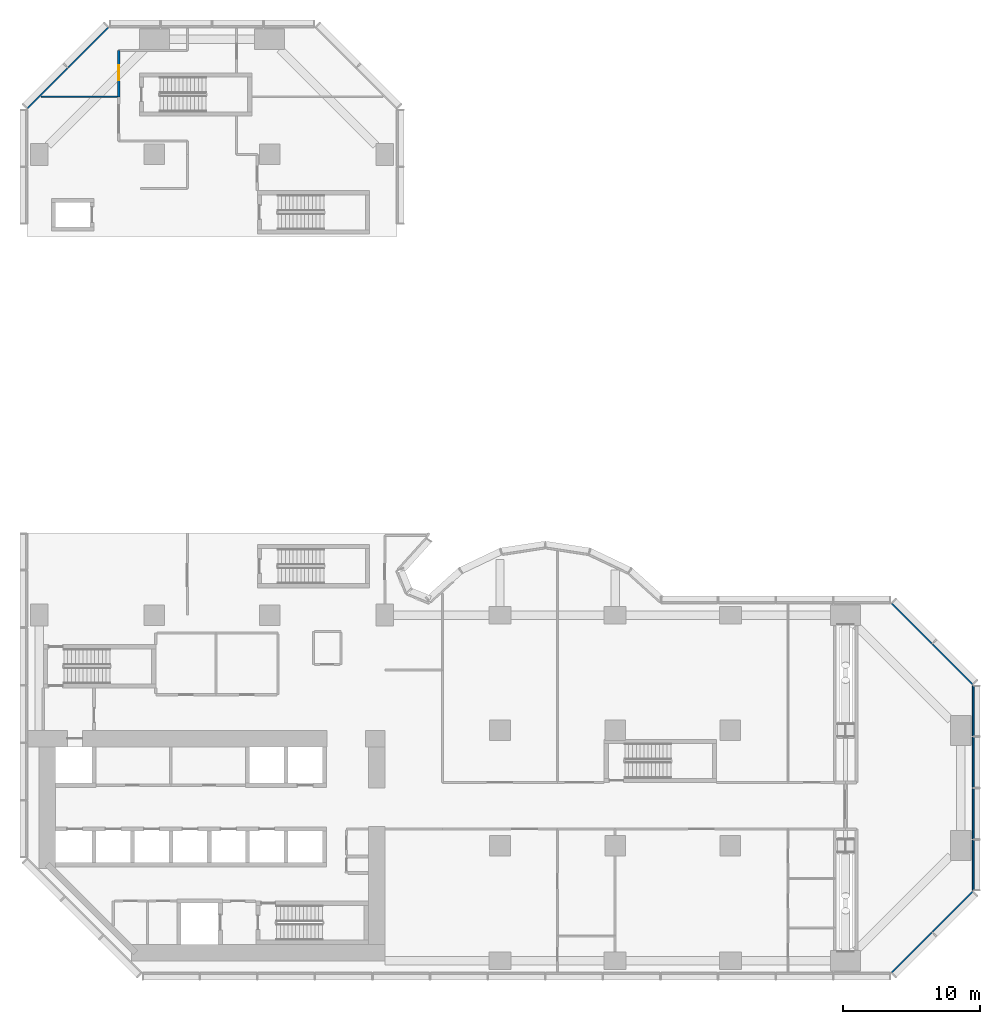
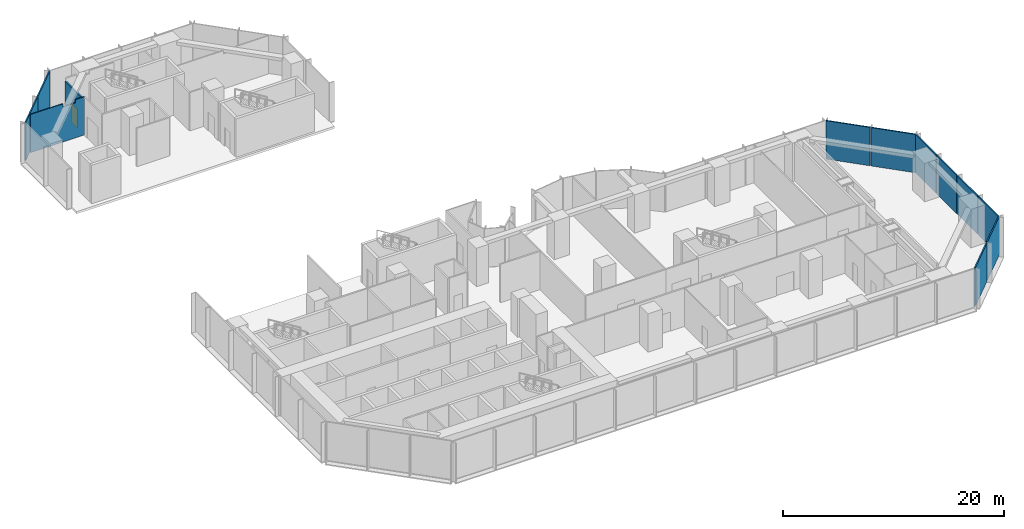
# One storey, part 14 of 18: 12 walls, 1 door, 1 opening.
"""IFC4 building model written with IfcOpenShell, lengths in metres."""

from ifc_helpers import new_model, si_unit, direction, frame, frame_2d, origin, place, context, subcontext, project, spatial, polyline, rectangle, outline, extrude, material, layer, layer_set, type_object, element, fill, save


model = new_model("IFC4")

# Units and contexts
model_context = context("Model", 3, precision=1e-05, world=origin(), true_north=direction((0.0, 1.0)))
body_context = subcontext(model_context, "Body", "Model", "MODEL_VIEW")
ifc_project = project(units=[si_unit("LENGTHUNIT", "METRE"), si_unit("AREAUNIT", "SQUARE_METRE"), si_unit("VOLUMEUNIT", "CUBIC_METRE"), si_unit("PLANEANGLEUNIT", "RADIAN"), si_unit("MASSUNIT", "GRAM", prefix="KILO")], contexts=[model_context])

# Site, building, storey
site_placement = place(None, origin())
site = spatial("IfcSite", under=ifc_project, at=site_placement, CompositionType="ELEMENT")
building_placement = place(site_placement, origin())
building = spatial("IfcBuilding", under=site, at=building_placement, Name="Brevane Broadcast Tower", CompositionType="ELEMENT")
storey_placement = place(building_placement, frame((0.0, 0.0, 27.5)))
storey = spatial("IfcBuildingStorey", under=building, at=storey_placement, Name="L04", CompositionType="ELEMENT", Elevation=27.5)

# Wall
ifc_material_1 = material(Name="Gypsum board partition")
ifc_layer_1 = layer(ifc_material_1, 0.10009765625)
ifc_layer_set_1 = layer_set([ifc_layer_1], Name="PARTITION 100 STUD")
wall_type_1 = type_object("IfcWallType", Name="PARTITION 100 STUD", PredefinedType="PARTITIONING", material=ifc_layer_set_1)
wall_1_placement = place(storey_placement, frame((0.144287109375, 63.0, 0.0), z_axis=(0.0, 0.0, 1.0), x_axis=(1.0, 0.0, 0.0)))
element("IfcWall", 1, at=wall_1_placement, inside=storey, type_object=wall_type_1, Name="Partition P4-051", PredefinedType="PARTITIONING", context=body_context, shape_type="SweptSolid", body=[
    extrude(outline(polyline([(0.0, 0.0), (5.65576171875, 0.0), (5.65576171875, 4.22998046875), (4.721435546875, 4.22998046875), (4.719482421875, 3.8798828125), (3.39208984375, 3.8798828125), (3.39013671875, 4.22998046875), (0.0, 4.22998046875), (0.0, 0.0)])), frame((0.0, 0.050048828125, 0.0), z_axis=(0.0, -1.0, 0.0), x_axis=(1.0, 0.0, 0.0)), (0.0, 0.0, 1.0), 0.10009765625),
])

# Wall, opening, door
ifc_layer_2 = layer(ifc_material_1, 0.14990234375)
ifc_layer_set_2 = layer_set([ifc_layer_2], Name="PARTITION 150 EI 60")
wall_type_2 = type_object("IfcWallType", Name="PARTITION 150 EI 60", PredefinedType="PARTITIONING", material=ifc_layer_set_2)
wall_2_placement = place(storey_placement, frame((5.800048828125, 63.0, 0.0), z_axis=(0.0, 0.0, 1.0), x_axis=(0.0, 1.0, 0.0)))
wall_2 = element("IfcWall", 2, at=wall_2_placement, inside=storey, type_object=wall_type_2, Name="Partition P4-046", PredefinedType="PARTITIONING", context=body_context, shape_type="SweptSolid", body=[
    extrude(rectangle(XDim=3.375, YDim=0.14990234375, at=frame_2d((1.6875, 0.0))), origin(), (0.0, 0.0, 1.0), 3.8798828125),
])
opening_placement = place(wall_2_placement, frame((1.199951171875, 0.0, 0.0)))
opening = element("IfcOpeningElement", 3, at=opening_placement, cuts=wall_2, Name="Opening D05-015", PredefinedType="OPENING", context=body_context, shape_type="SweptSolid", body=[
    extrude(rectangle(XDim=1.10009765625, YDim=2.10009765625, at=frame_2d((0.550048828125, 1.050048828125))), frame((0.0, 0.0849609375, 0.0), z_axis=(0.0, -1.0, 0.0), x_axis=(1.0, 0.0, 0.0)), (0.0, 0.0, 1.0), 0.169921875),
])
ifc_material_2 = material(Name="Fire-rated timber door leaf", Category="wood")
door_type = type_object("IfcDoorType", Name="DOOR SINGLE 1100 FD30S", OperationType="SINGLE_SWING_LEFT", PredefinedType="DOOR", material=ifc_material_2)
door_placement = place(opening_placement, origin())
door = element("IfcDoor", 4, at=door_placement, inside=storey, type_object=door_type, Name="Door D05-015", OperationType="SINGLE_SWING_LEFT", OverallHeight=2.10009765625, OverallWidth=1.10009765625, PredefinedType="DOOR", context=body_context, shape_type="SweptSolid", body=[
    extrude(rectangle(XDim=1.10009765625, YDim=2.10009765625, at=frame_2d((0.550048828125, 1.050048828125))), frame((0.0, 0.02490234375, 0.0), z_axis=(0.0, -1.0, 0.0), x_axis=(1.0, 0.0, 0.0)), (0.0, 0.0, 1.0), 0.050048828125),
])
fill(opening, door)

# Walls
ifc_material_3 = material(Name="Precast concrete C40/50", Category="concrete")
ifc_layer_3 = layer(ifc_material_3, 0.1201171875)
ifc_layer_set_3 = layer_set([ifc_layer_3], Name="Podium precast cladding wall 120 C40/50")
wall_type_3 = type_object("IfcWallType", Name="Podium precast cladding wall 120 C40/50", PredefinedType="SOLIDWALL", material=ifc_layer_set_3)
wall_3_placement = place(storey_placement, origin())
element("IfcWall", 5, at=wall_3_placement, inside=storey, type_object=wall_type_3, Name="Podium precast cladding wall", PredefinedType="SOLIDWALL", context=body_context, shape_type="SweptSolid", body=[
    extrude(outline(polyline([(62.096435546875, -0.832763671875), (65.03271484375, 2.103515625), (65.11767578125, 2.018798828125), (62.181396484375, -0.917724609375), (62.096435546875, -0.832763671875)])), origin(), (0.0, 0.0, 1.0), 4.25),
])
wall_4_placement = place(storey_placement, origin())
element("IfcWall", 6, at=wall_4_placement, inside=storey, type_object=wall_type_3, Name="Podium precast cladding wall", PredefinedType="SOLIDWALL", context=body_context, shape_type="SweptSolid", body=[
    extrude(outline(polyline([(65.096435546875, 2.167236328125), (68.03271484375, 5.103515625), (68.11767578125, 5.018798828125), (65.181396484375, 2.082275390625), (65.096435546875, 2.167236328125)])), origin(), (0.0, 0.0, 1.0), 4.25),
])
wall_5_placement = place(storey_placement, origin())
element("IfcWall", 7, at=wall_5_placement, inside=storey, type_object=wall_type_3, Name="Podium precast cladding wall", PredefinedType="SOLIDWALL", context=body_context, shape_type="SweptSolid", body=[
    extrude(outline(polyline([(68.169921875, 8.804931640625), (68.050048828125, 8.804931640625), (68.050048828125, 5.14501953125), (68.169921875, 5.14501953125), (68.169921875, 8.804931640625)])), origin(), (0.0, 0.0, 1.0), 4.25),
])
wall_6_placement = place(storey_placement, origin())
element("IfcWall", 8, at=wall_6_placement, inside=storey, type_object=wall_type_3, Name="Podium precast cladding wall", PredefinedType="SOLIDWALL", context=body_context, shape_type="SweptSolid", body=[
    extrude(outline(polyline([(68.169921875, 12.554931640625), (68.050048828125, 12.554931640625), (68.050048828125, 8.89501953125), (68.169921875, 8.89501953125), (68.169921875, 12.554931640625)])), origin(), (0.0, 0.0, 1.0), 4.25),
])
wall_7_placement = place(storey_placement, origin())
element("IfcWall", 9, at=wall_7_placement, inside=storey, type_object=wall_type_3, Name="Podium precast cladding wall", PredefinedType="SOLIDWALL", context=body_context, shape_type="SweptSolid", body=[
    extrude(outline(polyline([(68.169921875, 16.304931640625), (68.050048828125, 16.304931640625), (68.050048828125, 12.64501953125), (68.169921875, 12.64501953125), (68.169921875, 16.304931640625)])), origin(), (0.0, 0.0, 1.0), 4.25),
])
wall_8_placement = place(storey_placement, origin())
element("IfcWall", 10, at=wall_8_placement, inside=storey, type_object=wall_type_3, Name="Podium precast cladding wall", PredefinedType="SOLIDWALL", context=body_context, shape_type="SweptSolid", body=[
    extrude(outline(polyline([(68.169921875, 20.054931640625), (68.050048828125, 20.054931640625), (68.050048828125, 16.39501953125), (68.169921875, 16.39501953125), (68.169921875, 20.054931640625)])), origin(), (0.0, 0.0, 1.0), 4.25),
])
wall_9_placement = place(storey_placement, origin())
element("IfcWall", 11, at=wall_9_placement, inside=storey, type_object=wall_type_3, Name="Podium precast cladding wall", PredefinedType="SOLIDWALL", context=body_context, shape_type="SweptSolid", body=[
    extrude(outline(polyline([(68.03271484375, 20.096435546875), (65.096435546875, 23.03271484375), (65.181396484375, 23.11767578125), (68.11767578125, 20.181396484375), (68.03271484375, 20.096435546875)])), origin(), (0.0, 0.0, 1.0), 4.25),
])
wall_10_placement = place(storey_placement, origin())
element("IfcWall", 12, at=wall_10_placement, inside=storey, type_object=wall_type_3, Name="Podium precast cladding wall", PredefinedType="SOLIDWALL", context=body_context, shape_type="SweptSolid", body=[
    extrude(outline(polyline([(65.03271484375, 23.096435546875), (62.096435546875, 26.03271484375), (62.181396484375, 26.11767578125), (65.11767578125, 23.181396484375), (65.03271484375, 23.096435546875)])), origin(), (0.0, 0.0, 1.0), 4.25),
])
wall_11_placement = place(storey_placement, origin())
element("IfcWall", 13, at=wall_11_placement, inside=storey, type_object=wall_type_3, Name="Podium precast cladding wall", PredefinedType="SOLIDWALL", context=body_context, shape_type="SweptSolid", body=[
    extrude(outline(polyline([(5.103515625, 68.03271484375), (2.167236328125, 65.096435546875), (2.082275390625, 65.181396484375), (5.018798828125, 68.11767578125), (5.103515625, 68.03271484375)])), origin(), (0.0, 0.0, 1.0), 4.25),
])
wall_12_placement = place(storey_placement, origin())
element("IfcWall", 14, at=wall_12_placement, inside=storey, type_object=wall_type_3, Name="Podium precast cladding wall", PredefinedType="SOLIDWALL", context=body_context, shape_type="SweptSolid", body=[
    extrude(outline(polyline([(2.103515625, 65.03271484375), (-0.832763671875, 62.096435546875), (-0.917724609375, 62.181396484375), (2.018798828125, 65.11767578125), (2.103515625, 65.03271484375)])), origin(), (0.0, 0.0, 1.0), 4.25),
])

save(model, "model.ifc")
